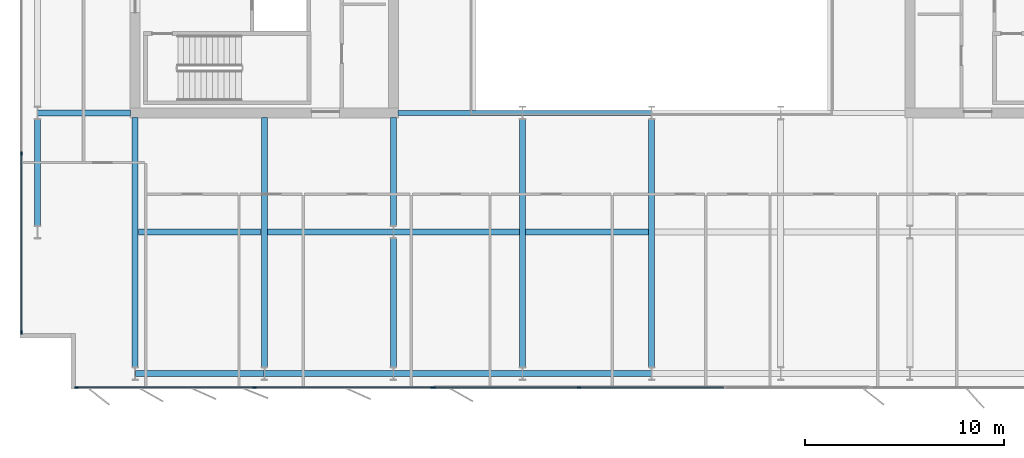
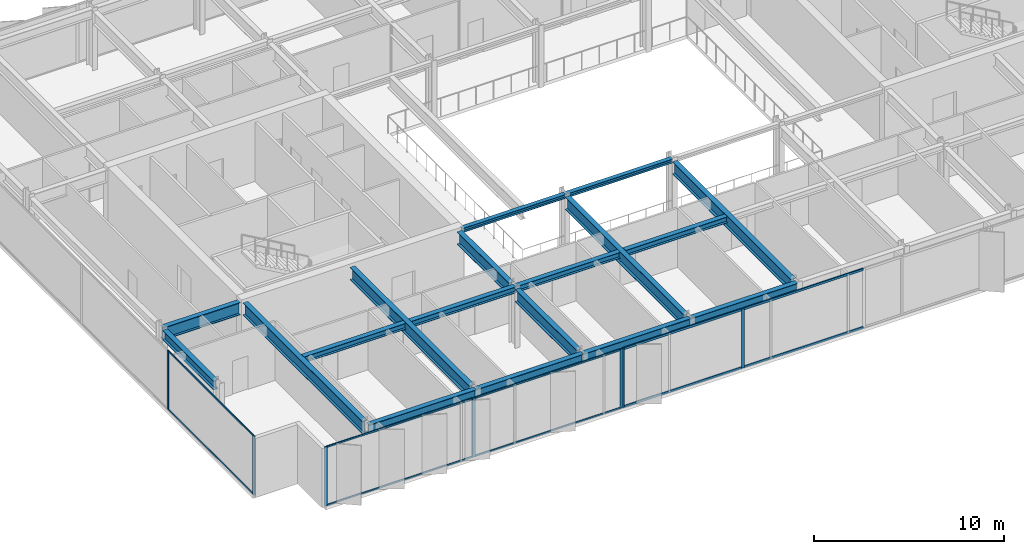
# One storey, part 4 of 20: 18 beams, 17 members, 3 elements without a shape of their own.
"""IFC4 building model written with IfcOpenShell, lengths in metres."""

from ifc_helpers import new_model, si_unit, direction, frame, origin, origin_2d, place, context, subcontext, project, spatial, rectangle, i_section, extrude, material, layer, layer_set, material_profile, profile_set, type_object, element, aggregate, save


model = new_model("IFC4")

# Units and contexts
model_context = context("Model", 3, precision=1e-05, world=origin(), true_north=direction((0.0, 1.0)))
body_context = subcontext(model_context, "Body", "Model", "MODEL_VIEW")
ifc_project = project(units=[si_unit("LENGTHUNIT", "METRE"), si_unit("AREAUNIT", "SQUARE_METRE"), si_unit("VOLUMEUNIT", "CUBIC_METRE"), si_unit("PLANEANGLEUNIT", "RADIAN"), si_unit("MASSUNIT", "GRAM", prefix="KILO")], contexts=[model_context])

# Site, building, storey
site_placement = place(None, origin())
site = spatial("IfcSite", under=ifc_project, at=site_placement, CompositionType="ELEMENT")
building_placement = place(site_placement, origin())
building = spatial("IfcBuilding", under=site, at=building_placement, Name="Putna Gate Headquarters", CompositionType="ELEMENT")
storey_placement = place(building_placement, frame((0.0, 0.0, 302.39990234375)))
storey = spatial("IfcBuildingStorey", under=building, at=storey_placement, Name="L76", CompositionType="ELEMENT", Elevation=302.39990234375)

# Beams
ifc_material_1 = material(Name="Steel S355J2", Category="steel")
ifc_material_profile_1 = material_profile(ifc_material_1, i_section(OverallWidth=0.260009765625, OverallDepth=0.260009765625, WebThickness=0.010009765625, FlangeThickness=0.017578125, at=origin_2d()), Name="Steel S355J2")
ifc_profile_set_1 = profile_set([ifc_material_profile_1], Name="Steel S355J2")
beam_type_1 = type_object("IfcBeamType", Name="BM-ATRIUM-HEB260", PredefinedType="BEAM", material=ifc_profile_set_1)
beam_1_placement = place(storey_placement, frame((26.235107421875, 19.0, 3.658203125), z_axis=(1.0, 0.0, 0.0), x_axis=(0.0, 1.0, 0.0)))
element("IfcBeam", 1, at=beam_1_placement, inside=storey, type_object=beam_type_1, Name="L76 Atrium Edge Beam AS1", PredefinedType="BEAM", context=body_context, shape_type="SweptSolid", body=[
    extrude(i_section(OverallWidth=0.260009765625, OverallDepth=0.260009765625, WebThickness=0.010009765625, FlangeThickness=0.017578125, at=origin_2d()), origin(), (0.0, 0.0, 1.0), 6.2587890625),
])
beam_2_placement = place(storey_placement, frame((32.506103515625, 19.0, 3.658203125), z_axis=(1.0, 0.0, 0.0), x_axis=(0.0, 1.0, 0.0)))
element("IfcBeam", 2, at=beam_2_placement, inside=storey, type_object=beam_type_1, Name="L76 Atrium Edge Beam AS2", PredefinedType="BEAM", context=body_context, shape_type="SweptSolid", body=[
    extrude(i_section(OverallWidth=0.260009765625, OverallDepth=0.260009765625, WebThickness=0.010009765625, FlangeThickness=0.017578125, at=origin_2d()), origin(), (0.0, 0.0, 1.0), 6.48779296875),
])
ifc_material_profile_2 = material_profile(ifc_material_1, i_section(OverallWidth=0.300048828125, OverallDepth=0.800048828125, WebThickness=0.017578125, FlangeThickness=0.032958984375, at=origin_2d()), Name="Steel S355J2")
ifc_profile_set_2 = profile_set([ifc_material_profile_2], Name="Steel S355J2")
beam_type_2 = type_object("IfcBeamType", Name="BM-GIRD-P-HEB800", PredefinedType="USERDEFINED", material=ifc_profile_set_2)
beam_3_placement = place(storey_placement, frame((8.0859375, 19.0, 3.38818359375), z_axis=(1.0, 0.0, 0.0), x_axis=(0.0, 1.0, 0.0)))
element("IfcBeam", 3, at=beam_3_placement, inside=storey, type_object=beam_type_2, Name="L76 West Wing Girder Y19", ObjectType="GIRDER", PredefinedType="USERDEFINED", context=body_context, shape_type="SweptSolid", body=[
    extrude(i_section(OverallWidth=0.300048828125, OverallDepth=0.800048828125, WebThickness=0.017578125, FlangeThickness=0.032958984375, at=origin_2d()), origin(), (0.0, 0.0, 1.0), 4.678955078125),
])
for number, where, z_axis, x_axis, name in (
    (4, (13.0, 6.201904296875, 3.38818359375), (0.0, 1.0, 0.0), (-1.0, 0.0, 0.0), "L76 South Primary Girder X13"),
    (5, (19.5, 6.201904296875, 3.38818359375), (0.0, 1.0, 0.0), (-1.0, 0.0, 0.0), "L76 South Primary Girder X19"),
):
    element("IfcBeam", number, at=place(storey_placement, frame(where, z_axis=z_axis, x_axis=x_axis)), inside=storey, type_object=beam_type_2, Name=name, ObjectType="GIRDER", PredefinedType="USERDEFINED", context=body_context, shape_type="SweptSolid", body=[
        extrude(i_section(OverallWidth=0.300048828125, OverallDepth=0.800048828125, WebThickness=0.017578125, FlangeThickness=0.032958984375, at=origin_2d()), origin(), (0.0, 0.0, 1.0), 12.56298828125),
    ])
beam_4_placement = place(storey_placement, frame((26.0, 6.201904296875, 3.38818359375), z_axis=(0.0, 1.0, 0.0), x_axis=(-1.0, 0.0, 0.0)))
element("IfcBeam", 6, at=beam_4_placement, inside=storey, type_object=beam_type_2, Name="L76 South Primary Girder X26-1", ObjectType="GIRDER", PredefinedType="USERDEFINED", context=body_context, shape_type="SweptSolid", body=[
    extrude(i_section(OverallWidth=0.300048828125, OverallDepth=0.800048828125, WebThickness=0.017578125, FlangeThickness=0.032958984375, at=origin_2d()), origin(), (0.0, 0.0, 1.0), 6.47607421875),
])
beam_5_placement = place(storey_placement, frame((26.0, 13.322021484375, 3.38818359375), z_axis=(0.0, 1.0, 0.0), x_axis=(-1.0, 0.0, 0.0)))
element("IfcBeam", 7, at=beam_5_placement, inside=storey, type_object=beam_type_2, Name="L76 South Primary Girder X26-2", ObjectType="GIRDER", PredefinedType="USERDEFINED", context=body_context, shape_type="SweptSolid", body=[
    extrude(i_section(OverallWidth=0.300048828125, OverallDepth=0.800048828125, WebThickness=0.017578125, FlangeThickness=0.032958984375, at=origin_2d()), origin(), (0.0, 0.0, 1.0), 5.44287109375),
])
for number, where, z_axis, x_axis, name in (
    (8, (32.5, 6.201904296875, 3.38818359375), (0.0, 1.0, 0.0), (-1.0, 0.0, 0.0), "L76 South Primary Girder X32"),
    (9, (39.0, 6.201904296875, 3.38818359375), (0.0, 1.0, 0.0), (-1.0, 0.0, 0.0), "L76 South Primary Girder X39"),
):
    element("IfcBeam", number, at=place(storey_placement, frame(where, z_axis=z_axis, x_axis=x_axis)), inside=storey, type_object=beam_type_2, Name=name, ObjectType="GIRDER", PredefinedType="USERDEFINED", context=body_context, shape_type="SweptSolid", body=[
        extrude(i_section(OverallWidth=0.300048828125, OverallDepth=0.800048828125, WebThickness=0.017578125, FlangeThickness=0.032958984375, at=origin_2d()), origin(), (0.0, 0.0, 1.0), 12.47607421875),
    ])
ifc_material_profile_3 = material_profile(ifc_material_1, i_section(OverallWidth=0.300048828125, OverallDepth=0.389892578125, WebThickness=0.010986328125, FlangeThickness=0.01904296875, at=origin_2d()), Name="Steel S355J2")
ifc_profile_set_3 = profile_set([ifc_material_profile_3], Name="Steel S355J2")
beam_type_3 = type_object("IfcBeamType", Name="BM-SEC-Z5-HEA400", PredefinedType="BEAM", material=ifc_profile_set_3)
beam_6_placement = place(storey_placement, frame((13.154052734375, 13.0, 3.593017578125), z_axis=(1.0, 0.0, 0.0), x_axis=(0.0, 1.0, 0.0)))
element("IfcBeam", 10, at=beam_6_placement, inside=storey, type_object=beam_type_3, Name="L76 South Secondary Beam 1", PredefinedType="BEAM", context=body_context, shape_type="SweptSolid", body=[
    extrude(i_section(OverallWidth=0.300048828125, OverallDepth=0.389892578125, WebThickness=0.010986328125, FlangeThickness=0.01904296875, at=origin_2d()), origin(), (0.0, 0.0, 1.0), 6.19189453125),
])
for number, where, z_axis, x_axis, name in (
    (11, (19.654052734375, 13.0, 3.593017578125), (1.0, 0.0, 0.0), (0.0, 1.0, 0.0), "L76 South Secondary Beam 2"),
    (12, (26.006103515625, 13.0, 3.593017578125), (1.0, 0.0, 0.0), (0.0, 1.0, 0.0), "L76 South Secondary Beam 3"),
):
    element("IfcBeam", number, at=place(storey_placement, frame(where, z_axis=z_axis, x_axis=x_axis)), inside=storey, type_object=beam_type_3, Name=name, PredefinedType="BEAM", context=body_context, shape_type="SweptSolid", body=[
        extrude(i_section(OverallWidth=0.300048828125, OverallDepth=0.389892578125, WebThickness=0.010986328125, FlangeThickness=0.01904296875, at=origin_2d()), origin(), (0.0, 0.0, 1.0), 6.33984375),
    ])
beam_7_placement = place(storey_placement, frame((32.654052734375, 13.0, 3.593017578125), z_axis=(1.0, 0.0, 0.0), x_axis=(0.0, 1.0, 0.0)))
element("IfcBeam", 13, at=beam_7_placement, inside=storey, type_object=beam_type_3, Name="L76 South Secondary Beam 4", PredefinedType="BEAM", context=body_context, shape_type="SweptSolid", body=[
    extrude(i_section(OverallWidth=0.300048828125, OverallDepth=0.389892578125, WebThickness=0.010986328125, FlangeThickness=0.01904296875, at=origin_2d()), origin(), (0.0, 0.0, 1.0), 6.19189453125),
])
ifc_material_profile_4 = material_profile(ifc_material_1, i_section(OverallWidth=0.300048828125, OverallDepth=0.590087890625, WebThickness=0.012939453125, FlangeThickness=0.02490234375, at=origin_2d()), Name="Steel S355J2")
ifc_profile_set_4 = profile_set([ifc_material_profile_4], Name="Steel S355J2")
beam_type_4 = type_object("IfcBeamType", Name="BM-SPAN-Z4-HEA600", PredefinedType="SPANDREL", material=ifc_profile_set_4)
for number, where, z_axis, x_axis, name in (
    (14, (13.006103515625, 5.8798828125, 3.4931640625), (1.0, 0.0, 0.0), (0.0, 1.0, 0.0), "L76 S Perimeter Spandrel 1"),
    (15, (19.506103515625, 5.8798828125, 3.4931640625), (1.0, 0.0, 0.0), (0.0, 1.0, 0.0), "L76 S Perimeter Spandrel 2"),
    (16, (26.006103515625, 5.8798828125, 3.4931640625), (1.0, 0.0, 0.0), (0.0, 1.0, 0.0), "L76 S Perimeter Spandrel 3"),
    (17, (32.506103515625, 5.8798828125, 3.4931640625), (1.0, 0.0, 0.0), (0.0, 1.0, 0.0), "L76 S Perimeter Spandrel 4"),
):
    element("IfcBeam", number, at=place(storey_placement, frame(where, z_axis=z_axis, x_axis=x_axis)), inside=storey, type_object=beam_type_4, Name=name, PredefinedType="SPANDREL", context=body_context, shape_type="SweptSolid", body=[
        extrude(i_section(OverallWidth=0.300048828125, OverallDepth=0.590087890625, WebThickness=0.012939453125, FlangeThickness=0.02490234375, at=origin_2d()), origin(), (0.0, 0.0, 1.0), 6.48779296875),
    ])
beam_8_placement = place(storey_placement, frame((8.080078125, 13.322021484375, 3.4931640625), z_axis=(0.0, 1.0, 0.0), x_axis=(-1.0, 0.0, 0.0)))
element("IfcBeam", 18, at=beam_8_placement, inside=storey, type_object=beam_type_4, Name="L76 W End Spandrel 1", PredefinedType="SPANDREL", context=body_context, shape_type="SweptSolid", body=[
    extrude(i_section(OverallWidth=0.300048828125, OverallDepth=0.590087890625, WebThickness=0.012939453125, FlangeThickness=0.02490234375, at=origin_2d()), origin(), (0.0, 0.0, 1.0), 5.35595703125),
])

# Curtain wall, members
ifc_material_2 = material(Name="Anodised bronze aluminium curtain wall", Category="aluminium")
ifc_layer_1 = layer(ifc_material_2, 0.179931640625)
ifc_layer_set_1 = layer_set([ifc_layer_1], Name="Anodised bronze aluminium curtain wall")
curtain_wall_type_1 = type_object("IfcCurtainWallType", Name="CW-SYS-Z5", PredefinedType="USERDEFINED", material=ifc_layer_set_1)
curtain_wall_1_placement = place(storey_placement, origin())
curtain_wall_1 = element("IfcCurtainWall", 19, at=curtain_wall_1_placement, inside=storey, type_object=curtain_wall_type_1, Name="L76 South West Curtain Wall", ObjectType="STICK CURTAIN WALL", PredefinedType="USERDEFINED")
ifc_material_3 = material(Name="Anodised bronze aluminium EN AW-6060", Category="aluminium")
ifc_material_profile_5 = material_profile(ifc_material_3, rectangle(XDim=0.070068359375, YDim=0.179931640625, at=origin_2d()), Name="Anodised bronze aluminium EN AW-6060")
ifc_profile_set_5 = profile_set([ifc_material_profile_5], Name="Anodised bronze aluminium EN AW-6060")
member_type_1 = type_object("IfcMemberType", Name="MULL-CWM-5", PredefinedType="MULLION", material=ifc_profile_set_5)
member_1_placement = place(storey_placement, frame((10.034912109375, 5.179931640625, 0.0), z_axis=(0.0, 0.0, 1.0), x_axis=(0.0, 1.0, 0.0)))
member_1 = element("IfcMember", 20, at=member_1_placement, type_object=member_type_1, Name="CWS-5 mullion 1", PredefinedType="MULLION", context=body_context, shape_type="SweptSolid", body=[
    extrude(rectangle(XDim=0.070068359375, YDim=0.179931640625, at=origin_2d()), origin(), (0.0, 0.0, 1.0), 3.7880859375),
])
member_2_placement = place(storey_placement, frame((19.0, 5.179931640625, 0.0), z_axis=(0.0, 0.0, 1.0), x_axis=(0.0, 1.0, 0.0)))
member_2 = element("IfcMember", 21, at=member_2_placement, type_object=member_type_1, Name="CWS-5 mullion 2", PredefinedType="MULLION", context=body_context, shape_type="SweptSolid", body=[
    extrude(rectangle(XDim=0.070068359375, YDim=0.179931640625, at=origin_2d()), origin(), (0.0, 0.0, 1.0), 3.7880859375),
])
member_3_placement = place(storey_placement, frame((27.965087890625, 5.179931640625, 0.0), z_axis=(0.0, 0.0, 1.0), x_axis=(0.0, 1.0, 0.0)))
member_3 = element("IfcMember", 22, at=member_3_placement, type_object=member_type_1, Name="CWS-5 mullion 3", PredefinedType="MULLION", context=body_context, shape_type="SweptSolid", body=[
    extrude(rectangle(XDim=0.070068359375, YDim=0.179931640625, at=origin_2d()), origin(), (0.0, 0.0, 1.0), 3.7880859375),
])

curtain_wall_2_placement = place(storey_placement, origin())
curtain_wall_2 = element("IfcCurtainWall", 23, at=curtain_wall_2_placement, inside=storey, type_object=curtain_wall_type_1, Name="L76 West Curtain Wall", ObjectType="STICK CURTAIN WALL", PredefinedType="USERDEFINED")
member_4_placement = place(storey_placement, frame((7.280029296875, 7.93505859375, 0.0), z_axis=(0.0, 0.0, 1.0), x_axis=(-1.0, 0.0, 0.0)))
member_4 = element("IfcMember", 24, at=member_4_placement, type_object=member_type_1, Name="CWS-5 mullion 1", PredefinedType="MULLION", context=body_context, shape_type="SweptSolid", body=[
    extrude(rectangle(XDim=0.070068359375, YDim=0.179931640625, at=origin_2d()), origin(), (0.0, 0.0, 1.0), 3.7880859375),
])
member_5_placement = place(storey_placement, frame((7.280029296875, 16.949951171875, 0.0), z_axis=(0.0, 0.0, 1.0), x_axis=(-1.0, 0.0, 0.0)))
member_5 = element("IfcMember", 25, at=member_5_placement, type_object=member_type_1, Name="CWS-5 mullion 2", PredefinedType="MULLION", context=body_context, shape_type="SweptSolid", body=[
    extrude(rectangle(XDim=0.070068359375, YDim=0.179931640625, at=origin_2d()), origin(), (0.0, 0.0, 1.0), 3.7880859375),
])

ifc_layer_2 = layer(ifc_material_2, 0.179931640625)
ifc_layer_set_2 = layer_set([ifc_layer_2], Name="Anodised bronze aluminium curtain wall")
curtain_wall_type_2 = type_object("IfcCurtainWallType", Name="CW-SYS-ATR", PredefinedType="USERDEFINED", material=ifc_layer_set_2)
curtain_wall_3_placement = place(storey_placement, origin())
curtain_wall_3 = element("IfcCurtainWall", 26, at=curtain_wall_3_placement, inside=storey, type_object=curtain_wall_type_2, Name="L76 South Atrium Clear Glazing", ObjectType="ATRIUM GLAZING", PredefinedType="USERDEFINED")
ifc_material_profile_6 = material_profile(ifc_material_3, rectangle(XDim=0.070068359375, YDim=0.179931640625, at=origin_2d()), Name="Anodised bronze aluminium EN AW-6060")
ifc_profile_set_6 = profile_set([ifc_material_profile_6], Name="Anodised bronze aluminium EN AW-6060")
member_type_2 = type_object("IfcMemberType", Name="MULL-CWM-AT", PredefinedType="MULLION", material=ifc_profile_set_6)
member_6_placement = place(storey_placement, frame((28.034912109375, 5.179931640625, 0.0), z_axis=(0.0, 0.0, 1.0), x_axis=(0.0, 1.0, 0.0)))
member_6 = element("IfcMember", 27, at=member_6_placement, type_object=member_type_2, Name="CWS-AT mullion 1", PredefinedType="MULLION", context=body_context, shape_type="SweptSolid", body=[
    extrude(rectangle(XDim=0.070068359375, YDim=0.179931640625, at=origin_2d()), origin(), (0.0, 0.0, 1.0), 3.7880859375),
])
member_7_placement = place(storey_placement, frame((35.333251953125, 5.179931640625, 0.0), z_axis=(0.0, 0.0, 1.0), x_axis=(0.0, 1.0, 0.0)))
member_7 = element("IfcMember", 28, at=member_7_placement, type_object=member_type_2, Name="CWS-AT mullion 2", PredefinedType="MULLION", context=body_context, shape_type="SweptSolid", body=[
    extrude(rectangle(XDim=0.070068359375, YDim=0.179931640625, at=origin_2d()), origin(), (0.0, 0.0, 1.0), 3.7880859375),
])

# Member
ifc_material_profile_7 = material_profile(ifc_material_3, rectangle(XDim=0.06005859375, YDim=0.10009765625, at=origin_2d()), Name="Anodised bronze aluminium EN AW-6060")
ifc_profile_set_7 = profile_set([ifc_material_profile_7], Name="Anodised bronze aluminium EN AW-6060")
member_type_3 = type_object("IfcMemberType", Name="TRAN-CWT-5", PredefinedType="USERDEFINED", material=ifc_profile_set_7)
member_8_placement = place(storey_placement, frame((10.070068359375, 5.179931640625, 0.030029296875), z_axis=(1.0, 0.0, 0.0), x_axis=(0.0, 1.0, 0.0)))
member_8 = element("IfcMember", 29, at=member_8_placement, type_object=member_type_3, Name="CWS-5 transom 1.1", ObjectType="TRANSOM", PredefinedType="USERDEFINED", context=body_context, shape_type="SweptSolid", body=[
    extrude(rectangle(XDim=0.06005859375, YDim=0.10009765625, at=origin_2d()), origin(), (0.0, 0.0, 1.0), 8.89501953125),
])

member_9_placement = place(storey_placement, frame((10.070068359375, 5.179931640625, 3.758056640625), z_axis=(1.0, 0.0, 0.0), x_axis=(0.0, 1.0, 0.0)))
member_9 = element("IfcMember", 30, at=member_9_placement, type_object=member_type_3, Name="CWS-5 transom 1.2", ObjectType="TRANSOM", PredefinedType="USERDEFINED", context=body_context, shape_type="SweptSolid", body=[
    extrude(rectangle(XDim=0.06005859375, YDim=0.10009765625, at=origin_2d()), origin(), (0.0, 0.0, 1.0), 8.89501953125),
])

member_10_placement = place(storey_placement, frame((19.034912109375, 5.179931640625, 0.030029296875), z_axis=(1.0, 0.0, 0.0), x_axis=(0.0, 1.0, 0.0)))
member_10 = element("IfcMember", 31, at=member_10_placement, type_object=member_type_3, Name="CWS-5 transom 2.1", ObjectType="TRANSOM", PredefinedType="USERDEFINED", context=body_context, shape_type="SweptSolid", body=[
    extrude(rectangle(XDim=0.06005859375, YDim=0.10009765625, at=origin_2d()), origin(), (0.0, 0.0, 1.0), 8.89501953125),
])

member_11_placement = place(storey_placement, frame((19.034912109375, 5.179931640625, 3.758056640625), z_axis=(1.0, 0.0, 0.0), x_axis=(0.0, 1.0, 0.0)))
member_11 = element("IfcMember", 32, at=member_11_placement, type_object=member_type_3, Name="CWS-5 transom 2.2", ObjectType="TRANSOM", PredefinedType="USERDEFINED", context=body_context, shape_type="SweptSolid", body=[
    extrude(rectangle(XDim=0.06005859375, YDim=0.10009765625, at=origin_2d()), origin(), (0.0, 0.0, 1.0), 8.89501953125),
])

aggregate(curtain_wall_1, [member_1, member_2, member_3, member_8, member_9, member_10, member_11])

member_12_placement = place(storey_placement, frame((7.280029296875, 7.969970703125, 0.030029296875), z_axis=(0.0, 1.0, 0.0), x_axis=(-1.0, 0.0, 0.0)))
member_12 = element("IfcMember", 33, at=member_12_placement, type_object=member_type_3, Name="CWS-5 transom 1.1", ObjectType="TRANSOM", PredefinedType="USERDEFINED", context=body_context, shape_type="SweptSolid", body=[
    extrude(rectangle(XDim=0.06005859375, YDim=0.10009765625, at=origin_2d()), origin(), (0.0, 0.0, 1.0), 8.945068359375),
])

member_13_placement = place(storey_placement, frame((7.280029296875, 7.969970703125, 3.758056640625), z_axis=(0.0, 1.0, 0.0), x_axis=(-1.0, 0.0, 0.0)))
member_13 = element("IfcMember", 34, at=member_13_placement, type_object=member_type_3, Name="CWS-5 transom 1.2", ObjectType="TRANSOM", PredefinedType="USERDEFINED", context=body_context, shape_type="SweptSolid", body=[
    extrude(rectangle(XDim=0.06005859375, YDim=0.10009765625, at=origin_2d()), origin(), (0.0, 0.0, 1.0), 8.945068359375),
])

aggregate(curtain_wall_2, [member_4, member_5, member_12, member_13])

ifc_material_profile_8 = material_profile(ifc_material_3, rectangle(XDim=0.070068359375, YDim=0.139892578125, at=origin_2d()), Name="Anodised bronze aluminium EN AW-6060")
ifc_profile_set_8 = profile_set([ifc_material_profile_8], Name="Anodised bronze aluminium EN AW-6060")
member_type_4 = type_object("IfcMemberType", Name="TRAN-CWT-AT", PredefinedType="USERDEFINED", material=ifc_profile_set_8)
member_14_placement = place(storey_placement, frame((28.070068359375, 5.179931640625, 0.03515625), z_axis=(1.0, 0.0, 0.0), x_axis=(0.0, 1.0, 0.0)))
member_14 = element("IfcMember", 35, at=member_14_placement, type_object=member_type_4, Name="CWS-AT transom 1.1", ObjectType="TRANSOM", PredefinedType="USERDEFINED", context=body_context, shape_type="SweptSolid", body=[
    extrude(rectangle(XDim=0.070068359375, YDim=0.139892578125, at=origin_2d()), origin(), (0.0, 0.0, 1.0), 7.228271484375),
])

member_15_placement = place(storey_placement, frame((28.070068359375, 5.179931640625, 3.753173828125), z_axis=(1.0, 0.0, 0.0), x_axis=(0.0, 1.0, 0.0)))
member_15 = element("IfcMember", 36, at=member_15_placement, type_object=member_type_4, Name="CWS-AT transom 1.2", ObjectType="TRANSOM", PredefinedType="USERDEFINED", context=body_context, shape_type="SweptSolid", body=[
    extrude(rectangle(XDim=0.070068359375, YDim=0.139892578125, at=origin_2d()), origin(), (0.0, 0.0, 1.0), 7.228271484375),
])

member_16_placement = place(storey_placement, frame((35.368408203125, 5.179931640625, 0.03515625), z_axis=(1.0, 0.0, 0.0), x_axis=(0.0, 1.0, 0.0)))
member_16 = element("IfcMember", 37, at=member_16_placement, type_object=member_type_4, Name="CWS-AT transom 2.1", ObjectType="TRANSOM", PredefinedType="USERDEFINED", context=body_context, shape_type="SweptSolid", body=[
    extrude(rectangle(XDim=0.070068359375, YDim=0.139892578125, at=origin_2d()), origin(), (0.0, 0.0, 1.0), 7.26318359375),
])

member_17_placement = place(storey_placement, frame((35.368408203125, 5.179931640625, 3.753173828125), z_axis=(1.0, 0.0, 0.0), x_axis=(0.0, 1.0, 0.0)))
member_17 = element("IfcMember", 38, at=member_17_placement, type_object=member_type_4, Name="CWS-AT transom 2.2", ObjectType="TRANSOM", PredefinedType="USERDEFINED", context=body_context, shape_type="SweptSolid", body=[
    extrude(rectangle(XDim=0.070068359375, YDim=0.139892578125, at=origin_2d()), origin(), (0.0, 0.0, 1.0), 7.26318359375),
])

aggregate(curtain_wall_3, [member_6, member_7, member_14, member_15, member_16, member_17])

save(model, "model.ifc")
